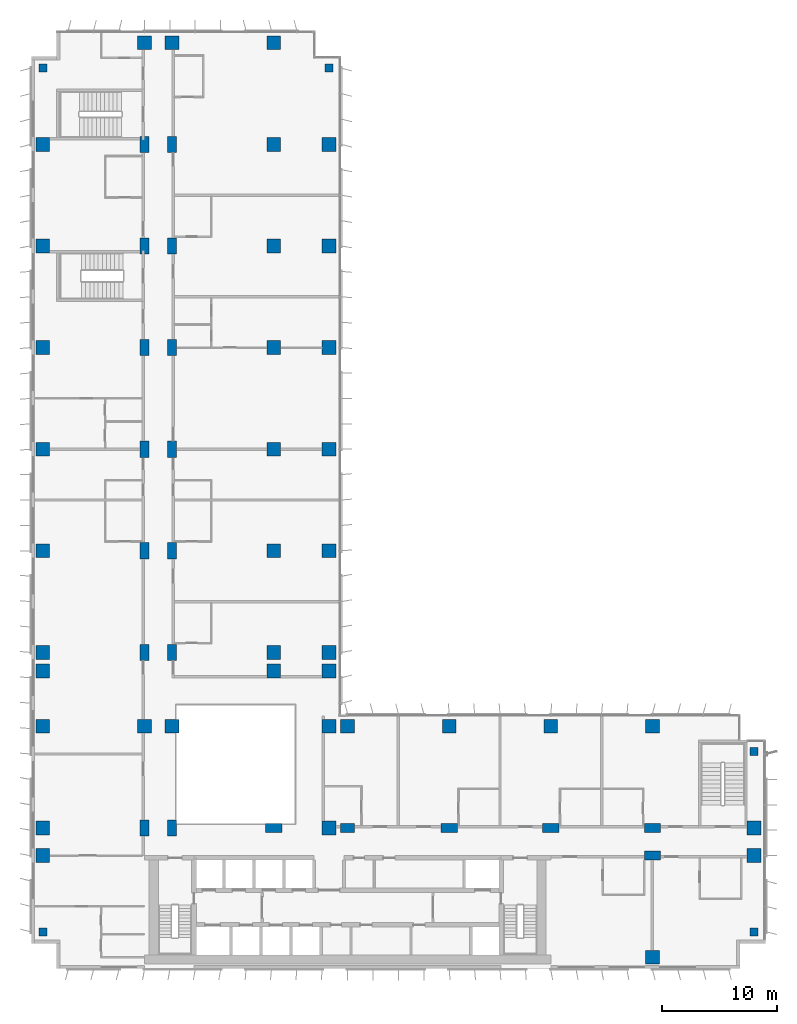
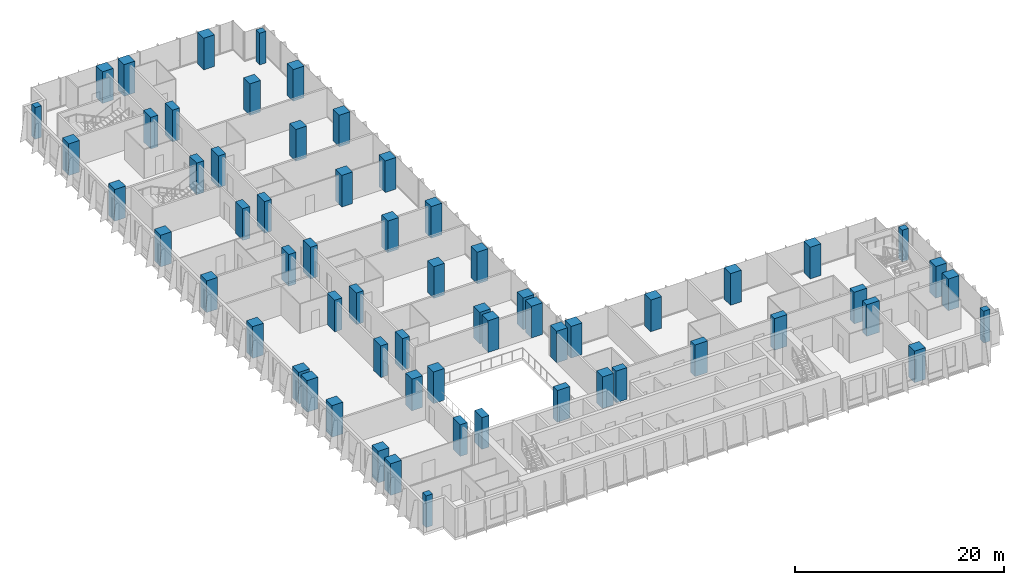
# One storey, part 1 of 22: 63 columns.
"""IFC4 building model written with IfcOpenShell, lengths in metres."""

from ifc_helpers import new_model, si_unit, direction, frame, origin, origin_2d, place, context, subcontext, project, spatial, rectangle, extrude, material, material_profile, profile_set, type_object, element, save


model = new_model("IFC4")

# Units and contexts
model_context = context("Model", 3, precision=1e-05, world=origin(), true_north=direction((0.0, 1.0)))
body_context = subcontext(model_context, "Body", "Model", "MODEL_VIEW")
ifc_project = project(units=[si_unit("LENGTHUNIT", "METRE"), si_unit("AREAUNIT", "SQUARE_METRE"), si_unit("VOLUMEUNIT", "CUBIC_METRE"), si_unit("PLANEANGLEUNIT", "RADIAN"), si_unit("MASSUNIT", "GRAM", prefix="KILO")], contexts=[model_context])

# Site, building, storey
site_placement = place(None, origin())
site = spatial("IfcSite", under=ifc_project, at=site_placement, CompositionType="ELEMENT")
building_placement = place(site_placement, origin())
building = spatial("IfcBuilding", under=site, at=building_placement, Name="Kemantara Hotel Tower", CompositionType="ELEMENT")
storey_placement = place(building_placement, frame((0.0, 0.0, 125.89990234375)))
storey = spatial("IfcBuildingStorey", under=building, at=storey_placement, Name="L30", CompositionType="ELEMENT", Elevation=125.89990234375)

# Columns
ifc_material = material(Name="Concrete fc 70 MPa", Category="concrete")
ifc_material_profile_1 = material_profile(ifc_material, rectangle(XDim=1.199951171875, YDim=1.199951171875, at=origin_2d()), Name="RC 1200X1200")
ifc_profile_set_1 = profile_set([ifc_material_profile_1], Name="Concrete fc 70 MPa")
column_type_1 = type_object("IfcColumnType", Name="RC COLUMN 1200X1200 FC70", PredefinedType="COLUMN", material=ifc_profile_set_1)
for number, where, z_axis, x_axis, name in (
    (1, (1.0, 9.800048828125, 0.0), (0.0, 0.0, 1.0), (1.0, 0.0, 0.0), "COLUMN 1/B L30"),
    (2, (1.0, 12.199951171875, 0.0), (0.0, 0.0, 1.0), (1.0, 0.0, 0.0), "COLUMN 1/BA L30"),
    (3, (1.0, 21.0, 0.0), (0.0, 0.0, 1.0), (1.0, 0.0, 0.0), "COLUMN 1/C L30"),
    (4, (1.0, 25.800048828125, 0.0), (0.0, 0.0, 1.0), (1.0, 0.0, 0.0), "COLUMN 1/CA L30"),
    (5, (1.0, 27.39990234375, 0.0), (0.0, 0.0, 1.0), (1.0, 0.0, 0.0), "COLUMN 1/D L30"),
    (6, (1.0, 36.199951171875, 0.0), (0.0, 0.0, 1.0), (1.0, 0.0, 0.0), "COLUMN 1/E L30"),
    (7, (1.0, 45.0, 0.0), (0.0, 0.0, 1.0), (1.0, 0.0, 0.0), "COLUMN 1/F L30"),
    (8, (1.0, 53.800048828125, 0.0), (0.0, 0.0, 1.0), (1.0, 0.0, 0.0), "COLUMN 1/G L30"),
    (9, (1.0, 62.60009765625, 0.0), (0.0, 0.0, 1.0), (1.0, 0.0, 0.0), "COLUMN 1/H L30"),
    (10, (1.0, 71.39990234375, 0.0), (0.0, 0.0, 1.0), (1.0, 0.0, 0.0), "COLUMN 1/J L30"),
    (11, (9.800048828125, 21.0, 0.0), (0.0, 0.0, 1.0), (1.0, 0.0, 0.0), "COLUMN 2/C L30"),
    (12, (9.800048828125, 80.199951171875, 0.0), (0.0, 0.0, 1.0), (1.0, 0.0, 0.0), "COLUMN 2/K L30"),
    (13, (12.199951171875, 21.0, 0.0), (0.0, 0.0, 1.0), (1.0, 0.0, 0.0), "COLUMN 2A/C L30"),
    (14, (12.199951171875, 80.199951171875, 0.0), (0.0, 0.0, 1.0), (1.0, 0.0, 0.0), "COLUMN 2A/K L30"),
    (15, (21.0, 25.800048828125, 0.0), (0.0, 0.0, 1.0), (1.0, 0.0, 0.0), "COLUMN 3/CA L30"),
    (16, (21.0, 27.39990234375, 0.0), (0.0, 0.0, 1.0), (1.0, 0.0, 0.0), "COLUMN 3/D L30"),
    (17, (21.0, 36.199951171875, 0.0), (0.0, 0.0, 1.0), (1.0, 0.0, 0.0), "COLUMN 3/E L30"),
    (18, (21.0, 45.0, 0.0), (0.0, 0.0, 1.0), (1.0, 0.0, 0.0), "COLUMN 3/F L30"),
    (19, (21.0, 53.800048828125, 0.0), (0.0, 0.0, 1.0), (1.0, 0.0, 0.0), "COLUMN 3/G L30"),
    (20, (21.0, 62.60009765625, 0.0), (0.0, 0.0, 1.0), (1.0, 0.0, 0.0), "COLUMN 3/H L30"),
    (21, (21.0, 71.39990234375, 0.0), (0.0, 0.0, 1.0), (1.0, 0.0, 0.0), "COLUMN 3/J L30"),
    (22, (21.0, 80.199951171875, 0.0), (0.0, 0.0, 1.0), (1.0, 0.0, 0.0), "COLUMN 3/K L30"),
    (23, (25.800048828125, 12.199951171875, 0.0), (0.0, 0.0, 1.0), (1.0, 0.0, 0.0), "COLUMN 3A/BA L30"),
    (24, (25.800048828125, 21.0, 0.0), (0.0, 0.0, 1.0), (1.0, 0.0, 0.0), "COLUMN 3A/C L30"),
    (25, (25.800048828125, 25.800048828125, 0.0), (0.0, 0.0, 1.0), (1.0, 0.0, 0.0), "COLUMN 3A/CA L30"),
    (26, (25.800048828125, 27.39990234375, 0.0), (0.0, 0.0, 1.0), (1.0, 0.0, 0.0), "COLUMN 3A/D L30"),
    (27, (25.800048828125, 36.199951171875, 0.0), (0.0, 0.0, 1.0), (1.0, 0.0, 0.0), "COLUMN 3A/E L30"),
    (28, (25.800048828125, 45.0, 0.0), (0.0, 0.0, 1.0), (1.0, 0.0, 0.0), "COLUMN 3A/F L30"),
    (29, (25.800048828125, 53.800048828125, 0.0), (0.0, 0.0, 1.0), (1.0, 0.0, 0.0), "COLUMN 3A/G L30"),
    (30, (25.800048828125, 62.60009765625, 0.0), (0.0, 0.0, 1.0), (1.0, 0.0, 0.0), "COLUMN 3A/H L30"),
    (31, (25.800048828125, 71.39990234375, 0.0), (0.0, 0.0, 1.0), (1.0, 0.0, 0.0), "COLUMN 3A/J L30"),
    (32, (27.39990234375, 21.0, 0.0), (0.0, 0.0, 1.0), (1.0, 0.0, 0.0), "COLUMN 4/C L30"),
    (33, (36.199951171875, 21.0, 0.0), (0.0, 0.0, 1.0), (1.0, 0.0, 0.0), "COLUMN 5/C L30"),
    (34, (45.0, 21.0, 0.0), (0.0, 0.0, 1.0), (1.0, 0.0, 0.0), "COLUMN 6/C L30"),
    (35, (53.800048828125, 1.0, 0.0), (0.0, 0.0, 1.0), (1.0, 0.0, 0.0), "COLUMN 7/A L30"),
    (36, (53.800048828125, 21.0, 0.0), (0.0, 0.0, 1.0), (1.0, 0.0, 0.0), "COLUMN 7/C L30"),
    (37, (62.60009765625, 9.800048828125, 0.0), (0.0, 0.0, 1.0), (1.0, 0.0, 0.0), "COLUMN 8/B L30"),
    (38, (62.60009765625, 12.199951171875, 0.0), (0.0, 0.0, 1.0), (1.0, 0.0, 0.0), "COLUMN 8/BA L30"),
):
    element("IfcColumn", number, at=place(storey_placement, frame(where, z_axis=z_axis, x_axis=x_axis)), inside=storey, type_object=column_type_1, Name=name, PredefinedType="COLUMN", context=body_context, shape_type="SweptSolid", body=[
        extrude(rectangle(XDim=1.199951171875, YDim=1.199951171875, at=origin_2d()), origin(), (0.0, 0.0, 1.0), 3.7001953125),
    ])
ifc_material_profile_2 = material_profile(ifc_material, rectangle(XDim=1.199951171875, YDim=0.800048828125, at=origin_2d()), Name="RC 1200X800")
ifc_profile_set_2 = profile_set([ifc_material_profile_2], Name="Concrete fc 70 MPa")
column_type_2 = type_object("IfcColumnType", Name="RC COLUMN 1200X800 FC70", PredefinedType="COLUMN", material=ifc_profile_set_2)
column_placement = place(storey_placement, frame((27.39990234375, 12.199951171875, 0.0), z_axis=(0.0, 0.0, 1.0), x_axis=(1.0, 0.0, 0.0)))
element("IfcColumn", 39, at=column_placement, inside=storey, type_object=column_type_2, Name="COLUMN 4/BA L30", PredefinedType="COLUMN", context=body_context, shape_type="SweptSolid", body=[
    extrude(rectangle(XDim=1.199951171875, YDim=0.800048828125, at=origin_2d()), origin(), (0.0, 0.0, 1.0), 3.7001953125),
])
ifc_material_profile_3 = material_profile(ifc_material, rectangle(XDim=1.39990234375, YDim=0.800048828125, at=origin_2d()), Name="RC 1400X800")
ifc_profile_set_3 = profile_set([ifc_material_profile_3], Name="Concrete fc 70 MPa")
column_type_3 = type_object("IfcColumnType", Name="RC COLUMN 1400X800 FC70", PredefinedType="COLUMN", material=ifc_profile_set_3)
for number, where, z_axis, x_axis, name in (
    (40, (9.800048828125, 12.199951171875, 0.0), (0.0, 0.0, 1.0), (0.0, 1.0, 0.0), "COLUMN 2/BA L30"),
    (41, (9.800048828125, 27.39990234375, 0.0), (0.0, 0.0, 1.0), (0.0, 1.0, 0.0), "COLUMN 2/D L30"),
    (42, (9.800048828125, 36.199951171875, 0.0), (0.0, 0.0, 1.0), (0.0, 1.0, 0.0), "COLUMN 2/E L30"),
    (43, (9.800048828125, 45.0, 0.0), (0.0, 0.0, 1.0), (0.0, 1.0, 0.0), "COLUMN 2/F L30"),
    (44, (9.800048828125, 53.800048828125, 0.0), (0.0, 0.0, 1.0), (0.0, 1.0, 0.0), "COLUMN 2/G L30"),
    (45, (9.800048828125, 62.60009765625, 0.0), (0.0, 0.0, 1.0), (0.0, 1.0, 0.0), "COLUMN 2/H L30"),
    (46, (9.800048828125, 71.39990234375, 0.0), (0.0, 0.0, 1.0), (0.0, 1.0, 0.0), "COLUMN 2/J L30"),
    (47, (12.199951171875, 12.199951171875, 0.0), (0.0, 0.0, 1.0), (0.0, 1.0, 0.0), "COLUMN 2A/BA L30"),
    (48, (12.199951171875, 27.39990234375, 0.0), (0.0, 0.0, 1.0), (0.0, 1.0, 0.0), "COLUMN 2A/D L30"),
    (49, (12.199951171875, 36.199951171875, 0.0), (0.0, 0.0, 1.0), (0.0, 1.0, 0.0), "COLUMN 2A/E L30"),
    (50, (12.199951171875, 45.0, 0.0), (0.0, 0.0, 1.0), (0.0, 1.0, 0.0), "COLUMN 2A/F L30"),
    (51, (12.199951171875, 53.800048828125, 0.0), (0.0, 0.0, 1.0), (0.0, 1.0, 0.0), "COLUMN 2A/G L30"),
    (52, (12.199951171875, 62.60009765625, 0.0), (0.0, 0.0, 1.0), (0.0, 1.0, 0.0), "COLUMN 2A/H L30"),
    (53, (12.199951171875, 71.39990234375, 0.0), (0.0, 0.0, 1.0), (0.0, 1.0, 0.0), "COLUMN 2A/J L30"),
    (54, (21.0, 12.199951171875, 0.0), (0.0, 0.0, 1.0), (1.0, 0.0, 0.0), "COLUMN 3/BA L30"),
    (55, (36.199951171875, 12.199951171875, 0.0), (0.0, 0.0, 1.0), (1.0, 0.0, 0.0), "COLUMN 5/BA L30"),
    (56, (45.0, 12.199951171875, 0.0), (0.0, 0.0, 1.0), (1.0, 0.0, 0.0), "COLUMN 6/BA L30"),
    (57, (53.800048828125, 9.800048828125, 0.0), (0.0, 0.0, 1.0), (1.0, 0.0, 0.0), "COLUMN 7/B L30"),
    (58, (53.800048828125, 12.199951171875, 0.0), (0.0, 0.0, 1.0), (1.0, 0.0, 0.0), "COLUMN 7/BA L30"),
):
    element("IfcColumn", number, at=place(storey_placement, frame(where, z_axis=z_axis, x_axis=x_axis)), inside=storey, type_object=column_type_3, Name=name, PredefinedType="COLUMN", context=body_context, shape_type="SweptSolid", body=[
        extrude(rectangle(XDim=1.39990234375, YDim=0.800048828125, at=origin_2d()), origin(), (0.0, 0.0, 1.0), 3.7001953125),
    ])
ifc_material_profile_4 = material_profile(ifc_material, rectangle(XDim=0.699951171875, YDim=0.699951171875, at=origin_2d()), Name="RC 700X700")
ifc_profile_set_4 = profile_set([ifc_material_profile_4], Name="Concrete fc 70 MPa")
column_type_4 = type_object("IfcColumnType", Name="RC COLUMN 700X700 FC70", PredefinedType="COLUMN", material=ifc_profile_set_4)
for number, where, z_axis, x_axis, name in (
    (59, (1.0, 3.199951171875, 0.0), (0.0, 0.0, 1.0), (1.0, 0.0, 0.0), "COLUMN notch corner L30"),
    (60, (1.0, 78.0, 0.0), (0.0, 0.0, 1.0), (1.0, 0.0, 0.0), "COLUMN notch corner L30"),
    (61, (25.800048828125, 78.0, 0.0), (0.0, 0.0, 1.0), (1.0, 0.0, 0.0), "COLUMN notch corner L30"),
    (62, (62.60009765625, 3.199951171875, 0.0), (0.0, 0.0, 1.0), (1.0, 0.0, 0.0), "COLUMN notch corner L30"),
    (63, (62.60009765625, 18.800048828125, 0.0), (0.0, 0.0, 1.0), (1.0, 0.0, 0.0), "COLUMN notch corner L30"),
):
    element("IfcColumn", number, at=place(storey_placement, frame(where, z_axis=z_axis, x_axis=x_axis)), inside=storey, type_object=column_type_4, Name=name, PredefinedType="COLUMN", context=body_context, shape_type="SweptSolid", body=[
        extrude(rectangle(XDim=0.699951171875, YDim=0.699951171875, at=origin_2d()), origin(), (0.0, 0.0, 1.0), 3.7001953125),
    ])

save(model, "model.ifc")
